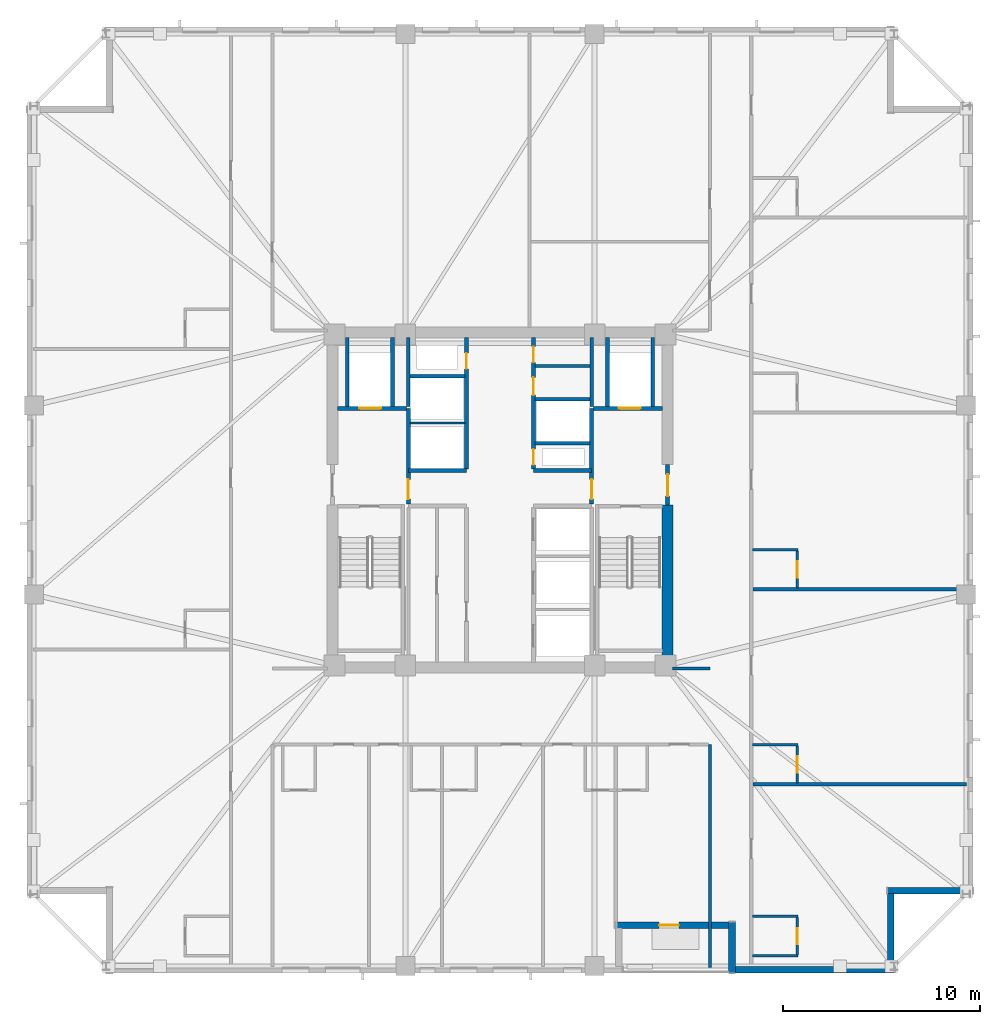
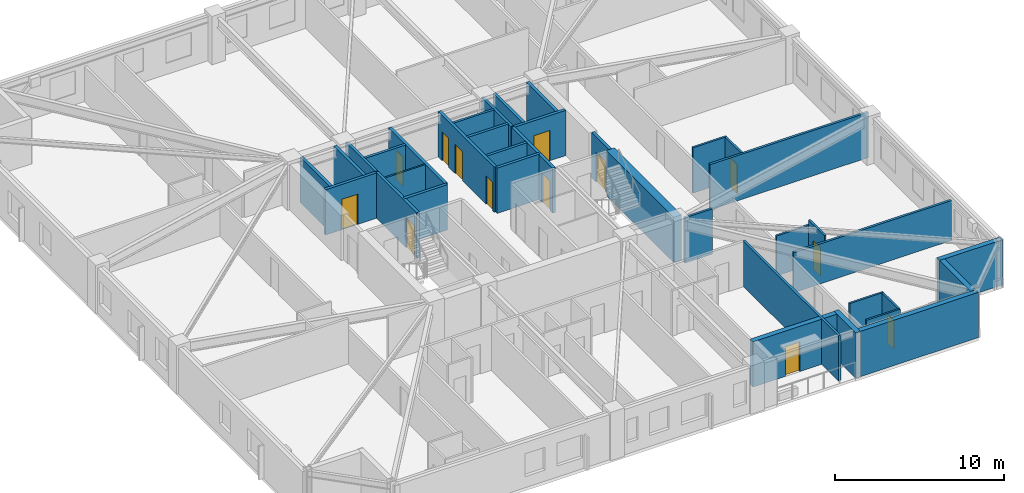
# One storey, part 4 of 11: 37 walls, 13 doors, 13 openings.
"""IFC4 building model written with IfcOpenShell, lengths in metres."""

from ifc_helpers import new_model, si_unit, direction, frame, frame_2d, origin, place, context, subcontext, project, spatial, rectangle, extrude, material, layer, layer_set, type_object, element, fill, save


model = new_model("IFC4")

# Units and contexts
model_context = context("Model", 3, precision=1e-05, world=origin(), true_north=direction((0.0, 1.0)))
body_context = subcontext(model_context, "Body", "Model", "MODEL_VIEW")
ifc_project = project(units=[si_unit("LENGTHUNIT", "METRE"), si_unit("AREAUNIT", "SQUARE_METRE"), si_unit("VOLUMEUNIT", "CUBIC_METRE"), si_unit("PLANEANGLEUNIT", "RADIAN"), si_unit("MASSUNIT", "GRAM", prefix="KILO")], contexts=[model_context])

# Site, building, storey
site_placement = place(None, origin())
site = spatial("IfcSite", under=ifc_project, at=site_placement, CompositionType="ELEMENT")
building_placement = place(site_placement, origin())
building = spatial("IfcBuilding", under=site, at=building_placement, Name="Cairnveth Concourse Tower", CompositionType="ELEMENT")
storey_placement = place(building_placement, frame((0.0, 0.0, 165.5)))
storey = spatial("IfcBuildingStorey", under=building, at=storey_placement, Name="L45", CompositionType="ELEMENT", Elevation=165.5)

# Walls
ifc_material_1 = material(Name="Gypsum Plasterboard Partition", Category="gypsum")
ifc_layer_1 = layer(ifc_material_1, 0.159912109375)
ifc_layer_set_1 = layer_set([ifc_layer_1], Name="Gypsum Plasterboard Partition")
wall_type_1 = type_object("IfcWallType", Name="ACOUSTIC PARTY WALL 180", PredefinedType="PARTITIONING", material=ifc_layer_set_1)
wall_1_placement = place(storey_placement, frame((53.784912109375, 45.800048828125, 0.0), z_axis=(0.0, 0.0, 1.0), x_axis=(1.0, 0.0, 0.0)))
element("IfcWall", 1, at=wall_1_placement, inside=storey, type_object=wall_type_1, Name="Interior Wall IW-L45-036", PredefinedType="PARTITIONING", context=body_context, shape_type="SweptSolid", body=[
    extrude(rectangle(XDim=2.7900390625, YDim=0.159912109375, at=frame_2d((1.39501953125, 0.0))), origin(), (0.0, 0.0, 1.0), 3.280029296875),
])
wall_2_placement = place(storey_placement, frame((62.64990234375, 15.27001953125, 0.0), z_axis=(0.0, 0.0, 1.0), x_axis=(0.0, 1.0, 0.0)))
element("IfcWall", 2, at=wall_2_placement, inside=storey, type_object=wall_type_1, Name="Interior Wall IW-L45-043", PredefinedType="PARTITIONING", context=body_context, shape_type="SweptSolid", body=[
    extrude(rectangle(XDim=11.330078125, YDim=0.159912109375, at=frame_2d((5.6650390625, 0.0))), origin(), (0.0, 0.0, 1.0), 3.280029296875),
])
wall_3_placement = place(storey_placement, frame((60.764892578125, 30.449951171875, 0.0), z_axis=(0.0, 0.0, 1.0), x_axis=(1.0, 0.0, 0.0)))
element("IfcWall", 3, at=wall_3_placement, inside=storey, type_object=wall_type_1, Name="Interior Wall IW-L45-045", PredefinedType="PARTITIONING", context=body_context, shape_type="SweptSolid", body=[
    extrude(rectangle(XDim=1.885009765625, YDim=0.159912109375, at=frame_2d((0.9423828125, 0.0))), origin(), (0.0, 0.0, 1.0), 3.280029296875),
])
wall_4_placement = place(storey_placement, frame((64.830078125, 24.577392578125, 0.0), z_axis=(0.0, 0.0, 1.0), x_axis=(1.0, 0.0, 0.0)))
element("IfcWall", 4, at=wall_4_placement, inside=storey, type_object=wall_type_1, Name="Interior Wall IW-L45-077", PredefinedType="PARTITIONING", context=body_context, shape_type="SweptSolid", body=[
    extrude(rectangle(XDim=10.844970703125, YDim=0.159912109375, at=frame_2d((5.42236328125, 0.0))), origin(), (0.0, 0.0, 1.0), 2.89599609375),
])
wall_5_placement = place(storey_placement, frame((64.830078125, 34.47412109375, 0.0), z_axis=(0.0, 0.0, 1.0), x_axis=(1.0, 0.0, 0.0)))
element("IfcWall", 5, at=wall_5_placement, inside=storey, type_object=wall_type_1, Name="Interior Wall IW-L45-080", PredefinedType="PARTITIONING", context=body_context, shape_type="SweptSolid", body=[
    extrude(rectangle(XDim=10.844970703125, YDim=0.159912109375, at=frame_2d((5.42236328125, 0.0))), origin(), (0.0, 0.0, 1.0), 3.280029296875),
])
ifc_material_2 = material(Name="Concrete N80 (80 MPa)", Category="concrete")
ifc_layer_2 = layer(ifc_material_2, 0.550048828125)
ifc_layer_set_2 = layer_set([ifc_layer_2], Name="Concrete N80 (80 MPa)")
wall_type_2 = type_object("IfcWallType", Name="CORE SHEAR WALL 550", PredefinedType="SHEAR", material=ifc_layer_set_2)
wall_6_placement = place(storey_placement, frame((60.5, 30.764892578125, 0.0), z_axis=(0.0, 0.0, 1.0), x_axis=(0.0, 1.0, 0.0)))
element("IfcWall", 6, at=wall_6_placement, inside=storey, type_object=wall_type_2, Name="Core East Shear Wall S L45", PredefinedType="SHEAR", context=body_context, shape_type="SweptSolid", body=[
    extrude(rectangle(XDim=7.985107421875, YDim=0.550048828125, at=frame_2d((3.99267578125, 0.0))), origin(), (0.0, 0.0, 1.0), 3.280029296875),
])
ifc_material_3 = material(Name="Concrete N50 (50 MPa)", Category="concrete")
ifc_layer_3 = layer(ifc_material_3, 0.179931640625)
ifc_layer_set_3 = layer_set([ifc_layer_3], Name="Concrete N50 (50 MPa)")
wall_type_3 = type_object("IfcWallType", Name="FIRE SHAFT WALL 180", PredefinedType="SOLIDWALL", material=ifc_layer_set_3)
wall_7_placement = place(storey_placement, frame((47.35009765625, 43.735107421875, 0.0), z_axis=(0.0, 0.0, 1.0), x_axis=(0.0, 1.0, 0.0)))
element("IfcWall", 7, at=wall_7_placement, inside=storey, type_object=wall_type_3, Name="Interior Wall IW-L45-030", PredefinedType="SOLIDWALL", context=body_context, shape_type="SweptSolid", body=[
    extrude(rectangle(XDim=3.5048828125, YDim=0.179931640625, at=frame_2d((1.75244140625, 0.0))), origin(), (0.0, 0.0, 1.0), 3.280029296875),
])
wall_8_placement = place(storey_placement, frame((47.425048828125, 45.280029296875, 0.0), z_axis=(0.0, 0.0, 1.0), x_axis=(1.0, 0.0, 0.0)))
element("IfcWall", 8, at=wall_8_placement, inside=storey, type_object=wall_type_3, Name="Interior Wall IW-L45-032", PredefinedType="SOLIDWALL", context=body_context, shape_type="SweptSolid", body=[
    extrude(rectangle(XDim=2.7900390625, YDim=0.179931640625, at=frame_2d((1.39501953125, 0.0))), origin(), (0.0, 0.0, 1.0), 3.280029296875),
])
wall_9_placement = place(storey_placement, frame((56.64990234375, 43.735107421875, 0.0), z_axis=(0.0, 0.0, 1.0), x_axis=(0.0, 1.0, 0.0)))
element("IfcWall", 9, at=wall_9_placement, inside=storey, type_object=wall_type_3, Name="Interior Wall IW-L45-033", PredefinedType="SOLIDWALL", context=body_context, shape_type="SweptSolid", body=[
    extrude(rectangle(XDim=3.5048828125, YDim=0.179931640625, at=frame_2d((1.75244140625, 0.0))), origin(), (0.0, 0.0, 1.0), 3.280029296875),
])
wall_10_placement = place(storey_placement, frame((53.784912109375, 41.8798828125, 0.0), z_axis=(0.0, 0.0, 1.0), x_axis=(1.0, 0.0, 0.0)))
element("IfcWall", 10, at=wall_10_placement, inside=storey, type_object=wall_type_3, Name="Interior Wall IW-L45-034", PredefinedType="SOLIDWALL", context=body_context, shape_type="SweptSolid", body=[
    extrude(rectangle(XDim=2.780029296875, YDim=0.179931640625, at=frame_2d((1.39013671875, 0.0))), origin(), (0.0, 0.0, 1.0), 3.280029296875),
])
wall_11_placement = place(storey_placement, frame((53.784912109375, 44.1201171875, 0.0), z_axis=(0.0, 0.0, 1.0), x_axis=(1.0, 0.0, 0.0)))
element("IfcWall", 11, at=wall_11_placement, inside=storey, type_object=wall_type_3, Name="Interior Wall IW-L45-035", PredefinedType="SOLIDWALL", context=body_context, shape_type="SweptSolid", body=[
    extrude(rectangle(XDim=2.7900390625, YDim=0.179931640625, at=frame_2d((1.39501953125, 0.0))), origin(), (0.0, 0.0, 1.0), 3.280029296875),
])
ifc_layer_4 = layer(ifc_material_3, 0.199951171875)
ifc_layer_set_4 = layer_set([ifc_layer_4], Name="Concrete N50 (50 MPa)")
wall_type_4 = type_object("IfcWallType", Name="FIRE SHAFT WALL 200", PredefinedType="SOLIDWALL", material=ifc_layer_set_4)
for number, where, z_axis, x_axis, name in (
    (12, (47.35009765625, 40.5, 0.0), (0.0, 0.0, 1.0), (1.0, 0.0, 0.0), "Interior Wall IW-L45-008"),
    (13, (53.699951171875, 40.5, 0.0), (0.0, 0.0, 1.0), (1.0, 0.0, 0.0), "Interior Wall IW-L45-010"),
):
    element("IfcWall", number, at=place(storey_placement, frame(where, z_axis=z_axis, x_axis=x_axis)), inside=storey, type_object=wall_type_4, Name=name, PredefinedType="SOLIDWALL", context=body_context, shape_type="SweptSolid", body=[
        extrude(rectangle(XDim=2.949951171875, YDim=0.199951171875, at=frame_2d((1.47509765625, 0.0))), origin(), (0.0, 0.0, 1.0), 3.280029296875),
    ])

# Wall, opening, door
wall_12_placement = place(storey_placement, frame((50.300048828125, 40.5849609375, 0.0), z_axis=(0.0, 0.0, 1.0), x_axis=(0.0, 1.0, 0.0)))
wall_12 = element("IfcWall", 14, at=wall_12_placement, inside=storey, type_object=wall_type_4, Name="Interior Wall IW-L45-013", PredefinedType="SOLIDWALL", context=body_context, shape_type="SweptSolid", body=[
    extrude(rectangle(XDim=6.655029296875, YDim=0.199951171875, at=frame_2d((3.32763671875, 0.0))), origin(), (0.0, 0.0, 1.0), 3.280029296875),
])
opening_1_placement = place(wall_12_placement, frame((5.06494140625, 0.0, 0.0)))
opening_1 = element("IfcOpeningElement", 15, at=opening_1_placement, cuts=wall_12, Name="Opening ID24", PredefinedType="OPENING", context=body_context, shape_type="SweptSolid", body=[
    extrude(rectangle(XDim=0.800048828125, YDim=2.080078125, at=frame_2d((0.39990234375, 1.0400390625))), frame((0.0, 0.10986328125, 0.0), z_axis=(0.0, -1.0, 0.0), x_axis=(1.0, 0.0, 0.0)), (0.0, 0.0, 1.0), 0.219970703125),
])
ifc_material_4 = material(Name="Steel Grade 350", Category="steel")
door_type_1 = type_object("IfcDoorType", Name="RISER ACCESS DOOR 800X2100", OperationType="NOTDEFINED", PredefinedType="DOOR", material=ifc_material_4)
door_1_placement = place(opening_1_placement, origin())
door_1 = element("IfcDoor", 16, at=door_1_placement, inside=storey, type_object=door_type_1, Name="NW Electrical Riser Access Door L45", OperationType="SINGLE_SWING_RIGHT", OverallHeight=2.080078125, OverallWidth=0.800048828125, PredefinedType="DOOR", context=body_context, shape_type="SweptSolid", body=[
    extrude(rectangle(XDim=0.800048828125, YDim=2.080078125, at=frame_2d((0.39990234375, 1.0400390625))), frame((0.0, 0.02490234375, 0.0), z_axis=(0.0, -1.0, 0.0), x_axis=(1.0, 0.0, 0.0)), (0.0, 0.0, 1.0), 0.050048828125),
])
fill(opening_1, door_1)

# Wall, openings, doors
wall_13_placement = place(storey_placement, frame((53.699951171875, 40.5849609375, 0.0), z_axis=(0.0, 0.0, 1.0), x_axis=(0.0, 1.0, 0.0)))
wall_13 = element("IfcWall", 17, at=wall_13_placement, inside=storey, type_object=wall_type_4, Name="Interior Wall IW-L45-014", PredefinedType="SOLIDWALL", context=body_context, shape_type="SweptSolid", body=[
    extrude(rectangle(XDim=6.655029296875, YDim=0.199951171875, at=frame_2d((3.32763671875, 0.0))), origin(), (0.0, 0.0, 1.0), 3.280029296875),
])
opening_2_placement = place(wall_13_placement, frame((0.195068359375, 0.0, 0.0)))
opening_2 = element("IfcOpeningElement", 18, at=opening_2_placement, cuts=wall_13, Name="Opening ID24", PredefinedType="OPENING", context=body_context, shape_type="SweptSolid", body=[
    extrude(rectangle(XDim=0.800048828125, YDim=2.080078125, at=frame_2d((0.39990234375, 1.0400390625))), frame((0.0, 0.10986328125, 0.0), z_axis=(0.0, -1.0, 0.0), x_axis=(1.0, 0.0, 0.0)), (0.0, 0.0, 1.0), 0.219970703125),
])
opening_3_placement = place(wall_13_placement, frame((3.735107421875, 0.0, 0.0)))
opening_3 = element("IfcOpeningElement", 19, at=opening_3_placement, cuts=wall_13, Name="Opening ID26", PredefinedType="OPENING", context=body_context, shape_type="SweptSolid", body=[
    extrude(rectangle(XDim=0.89990234375, YDim=2.1201171875, at=frame_2d((0.449951171875, 1.06005859375))), frame((0.0, 0.10986328125, 0.0), z_axis=(0.0, -1.0, 0.0), x_axis=(1.0, 0.0, 0.0)), (0.0, 0.0, 1.0), 0.219970703125),
])
opening_4_placement = place(wall_13_placement, frame((5.39501953125, 0.0, 0.0)))
opening_4 = element("IfcOpeningElement", 20, at=opening_4_placement, cuts=wall_13, Name="Opening ID23", PredefinedType="OPENING", context=body_context, shape_type="SweptSolid", body=[
    extrude(rectangle(XDim=0.800048828125, YDim=2.10009765625, at=frame_2d((0.39990234375, 1.050048828125))), frame((0.0, 0.10986328125, 0.0), z_axis=(0.0, -1.0, 0.0), x_axis=(1.0, 0.0, 0.0)), (0.0, 0.0, 1.0), 0.219970703125),
])
door_type_2 = type_object("IfcDoorType", Name="CORE SERVICE DOOR 800X2100", OperationType="NOTDEFINED", PredefinedType="DOOR", material=ifc_material_4)
door_2_placement = place(opening_4_placement, origin())
door_2 = element("IfcDoor", 21, at=door_2_placement, inside=storey, type_object=door_type_2, Name="Core NE Cleaners Door L45", OperationType="SINGLE_SWING_LEFT", OverallHeight=2.10009765625, OverallWidth=0.800048828125, PredefinedType="DOOR", context=body_context, shape_type="SweptSolid", body=[
    extrude(rectangle(XDim=0.800048828125, YDim=2.10009765625, at=frame_2d((0.39990234375, 1.050048828125))), frame((0.0, 0.02490234375, 0.0), z_axis=(0.0, -1.0, 0.0), x_axis=(1.0, 0.0, 0.0)), (0.0, 0.0, 1.0), 0.050048828125),
])
fill(opening_4, door_2)
door_type_3 = type_object("IfcDoorType", Name="CORE TOILET FIRE DOOR 900X2120", OperationType="NOTDEFINED", PredefinedType="DOOR", material=ifc_material_4)
door_3_placement = place(opening_3_placement, origin())
door_3 = element("IfcDoor", 22, at=door_3_placement, inside=storey, type_object=door_type_3, Name="Core NE Unisex WC Door L45", OperationType="SINGLE_SWING_RIGHT", OverallHeight=2.1201171875, OverallWidth=0.89990234375, PredefinedType="DOOR", context=body_context, shape_type="SweptSolid", body=[
    extrude(rectangle(XDim=0.89990234375, YDim=2.1201171875, at=frame_2d((0.449951171875, 1.06005859375))), frame((0.0, 0.02490234375, 0.0), z_axis=(0.0, -1.0, 0.0), x_axis=(1.0, 0.0, 0.0)), (0.0, 0.0, 1.0), 0.050048828125),
])
fill(opening_3, door_3)
door_4_placement = place(opening_2_placement, origin())
door_4 = element("IfcDoor", 23, at=door_4_placement, inside=storey, type_object=door_type_1, Name="Hydraulic Riser Door L45", OperationType="SINGLE_SWING_LEFT", OverallHeight=2.080078125, OverallWidth=0.800048828125, PredefinedType="DOOR", context=body_context, shape_type="SweptSolid", body=[
    extrude(rectangle(XDim=0.800048828125, YDim=2.080078125, at=frame_2d((0.39990234375, 1.0400390625))), frame((0.0, 0.02490234375, 0.0), z_axis=(0.0, -1.0, 0.0), x_axis=(1.0, 0.0, 0.0)), (0.0, 0.0, 1.0), 0.050048828125),
])
fill(opening_2, door_4)

# Wall, opening, door
wall_14_placement = place(storey_placement, frame((47.35009765625, 38.784912109375, 0.0), z_axis=(0.0, 0.0, 1.0), x_axis=(0.0, 1.0, 0.0)))
wall_14 = element("IfcWall", 24, at=wall_14_placement, inside=storey, type_object=wall_type_4, Name="Interior Wall IW-L45-016", PredefinedType="SOLIDWALL", context=body_context, shape_type="SweptSolid", body=[
    extrude(rectangle(XDim=4.864990234375, YDim=0.199951171875, at=frame_2d((2.4326171875, 0.0))), origin(), (0.0, 0.0, 1.0), 3.280029296875),
])
opening_5_placement = place(wall_14_placement, frame((0.264892578125, 0.0, 0.0)))
opening_5 = element("IfcOpeningElement", 25, at=opening_5_placement, cuts=wall_14, Name="Opening ID07", PredefinedType="OPENING", context=body_context, shape_type="SweptSolid", body=[
    extrude(rectangle(XDim=1.0, YDim=2.14990234375, at=frame_2d((0.5, 1.074951171875))), frame((0.0, 0.10986328125, 0.0), z_axis=(0.0, -1.0, 0.0), x_axis=(1.0, 0.0, 0.0)), (0.0, 0.0, 1.0), 0.219970703125),
])
door_type_4 = type_object("IfcDoorType", Name="FIRE CORRIDOR DOOR 1000X2150", OperationType="NOTDEFINED", PredefinedType="DOOR", material=ifc_material_4)
door_5_placement = place(opening_5_placement, origin())
door_5 = element("IfcDoor", 26, at=door_5_placement, inside=storey, type_object=door_type_4, Name="FF Lobby West to Lift Lobby Door L45", OperationType="SINGLE_SWING_RIGHT", OverallHeight=2.14990234375, OverallWidth=1.0, PredefinedType="DOOR", context=body_context, shape_type="SweptSolid", body=[
    extrude(rectangle(XDim=1.0, YDim=2.14990234375, at=frame_2d((0.5, 1.074951171875))), frame((0.0, 0.02490234375, 0.0), z_axis=(0.0, -1.0, 0.0), x_axis=(1.0, 0.0, 0.0)), (0.0, 0.0, 1.0), 0.050048828125),
])
fill(opening_5, door_5)

wall_15_placement = place(storey_placement, frame((43.760009765625, 43.64990234375, 0.0), z_axis=(0.0, 0.0, 1.0), x_axis=(1.0, 0.0, 0.0)))
wall_15 = element("IfcWall", 27, at=wall_15_placement, inside=storey, type_object=wall_type_4, Name="Interior Wall IW-L45-017", PredefinedType="SOLIDWALL", context=body_context, shape_type="SweptSolid", body=[
    extrude(rectangle(XDim=3.5048828125, YDim=0.199951171875, at=frame_2d((1.75244140625, 0.0))), origin(), (0.0, 0.0, 1.0), 3.280029296875),
])
opening_6_placement = place(wall_15_placement, frame((1.110107421875, 0.0, 0.0)))
opening_6 = element("IfcOpeningElement", 28, at=opening_6_placement, cuts=wall_15, Name="Opening LD-1", PredefinedType="OPENING", context=body_context, shape_type="SweptSolid", body=[
    extrude(rectangle(XDim=1.10009765625, YDim=2.199951171875, at=frame_2d((0.550048828125, 1.10009765625))), frame((0.0, 0.10986328125, 0.0), z_axis=(0.0, -1.0, 0.0), x_axis=(1.0, 0.0, 0.0)), (0.0, 0.0, 1.0), 0.219970703125),
])
ifc_material_5 = material(Name="Architectural Bronze Anodised Aluminium 6063-T6", Category="aluminium")
door_type_5 = type_object("IfcDoorType", Name="LIFT LANDING DOOR 1100X2200", OperationType="SLIDING_TO_LEFT", PredefinedType="DOOR", material=ifc_material_5)
door_6_placement = place(opening_6_placement, origin())
door_6 = element("IfcDoor", 29, at=door_6_placement, inside=storey, type_object=door_type_5, Name="Lift FFL1 Landing Door L45", OperationType="SLIDING_TO_LEFT", OverallHeight=2.199951171875, OverallWidth=1.10009765625, PredefinedType="DOOR", context=body_context, shape_type="SweptSolid", body=[
    extrude(rectangle(XDim=1.10009765625, YDim=2.199951171875, at=frame_2d((0.550048828125, 1.10009765625))), frame((0.0, 0.02490234375, 0.0), z_axis=(0.0, -1.0, 0.0), x_axis=(1.0, 0.0, 0.0)), (0.0, 0.0, 1.0), 0.050048828125),
])
fill(opening_6, door_6)

# Walls
for number, where, z_axis, x_axis, name in (
    (30, (46.550048828125, 43.735107421875, 0.0), (0.0, 0.0, 1.0), (0.0, 1.0, 0.0), "Interior Wall IW-L45-018"),
    (31, (44.25, 43.735107421875, 0.0), (0.0, 0.0, 1.0), (0.0, 1.0, 0.0), "Interior Wall IW-L45-019"),
):
    element("IfcWall", number, at=place(storey_placement, frame(where, z_axis=z_axis, x_axis=x_axis)), inside=storey, type_object=wall_type_4, Name=name, PredefinedType="SOLIDWALL", context=body_context, shape_type="SweptSolid", body=[
        extrude(rectangle(XDim=3.5048828125, YDim=0.199951171875, at=frame_2d((1.75244140625, 0.0))), origin(), (0.0, 0.0, 1.0), 3.280029296875),
    ])

# Wall, opening, door
wall_16_placement = place(storey_placement, frame((60.5, 38.75, 0.0), z_axis=(0.0, 0.0, 1.0), x_axis=(0.0, 1.0, 0.0)))
wall_16 = element("IfcWall", 32, at=wall_16_placement, inside=storey, type_object=wall_type_4, Name="Interior Wall IW-L45-020", PredefinedType="SOLIDWALL", context=body_context, shape_type="SweptSolid", body=[
    extrude(rectangle(XDim=2.050048828125, YDim=0.199951171875, at=frame_2d((1.02490234375, 0.0))), origin(), (0.0, 0.0, 1.0), 3.280029296875),
])
opening_7_placement = place(wall_16_placement, frame((0.449951171875, 0.0, 0.0)))
opening_7 = element("IfcOpeningElement", 33, at=opening_7_placement, cuts=wall_16, Name="Opening ID06", PredefinedType="OPENING", context=body_context, shape_type="SweptSolid", body=[
    extrude(rectangle(XDim=1.10009765625, YDim=2.14990234375, at=frame_2d((0.550048828125, 1.074951171875))), frame((0.0, 0.10986328125, 0.0), z_axis=(0.0, -1.0, 0.0), x_axis=(1.0, 0.0, 0.0)), (0.0, 0.0, 1.0), 0.219970703125),
])
door_type_6 = type_object("IfcDoorType", Name="FIRE CORRIDOR DOOR 1100X2150", OperationType="NOTDEFINED", PredefinedType="DOOR", material=ifc_material_4)
door_7_placement = place(opening_7_placement, origin())
door_7 = element("IfcDoor", 34, at=door_7_placement, inside=storey, type_object=door_type_6, Name="East Wing to FF Lobby Door L45", OperationType="SINGLE_SWING_RIGHT", OverallHeight=2.14990234375, OverallWidth=1.10009765625, PredefinedType="DOOR", context=body_context, shape_type="SweptSolid", body=[
    extrude(rectangle(XDim=1.10009765625, YDim=2.14990234375, at=frame_2d((0.550048828125, 1.074951171875))), frame((0.0, 0.02490234375, 0.0), z_axis=(0.0, -1.0, 0.0), x_axis=(1.0, 0.0, 0.0)), (0.0, 0.0, 1.0), 0.050048828125),
])
fill(opening_7, door_7)

wall_17_placement = place(storey_placement, frame((56.64990234375, 38.784912109375, 0.0), z_axis=(0.0, 0.0, 1.0), x_axis=(0.0, 1.0, 0.0)))
wall_17 = element("IfcWall", 35, at=wall_17_placement, inside=storey, type_object=wall_type_4, Name="Interior Wall IW-L45-021", PredefinedType="SOLIDWALL", context=body_context, shape_type="SweptSolid", body=[
    extrude(rectangle(XDim=4.864990234375, YDim=0.199951171875, at=frame_2d((2.4326171875, 0.0))), origin(), (0.0, 0.0, 1.0), 3.280029296875),
])
opening_8_placement = place(wall_17_placement, frame((0.264892578125, 0.0, 0.0)))
opening_8 = element("IfcOpeningElement", 36, at=opening_8_placement, cuts=wall_17, Name="Opening ID07", PredefinedType="OPENING", context=body_context, shape_type="SweptSolid", body=[
    extrude(rectangle(XDim=1.0, YDim=2.14990234375, at=frame_2d((0.5, 1.074951171875))), frame((0.0, 0.10986328125, 0.0), z_axis=(0.0, -1.0, 0.0), x_axis=(1.0, 0.0, 0.0)), (0.0, 0.0, 1.0), 0.219970703125),
])
door_8_placement = place(opening_8_placement, origin())
door_8 = element("IfcDoor", 37, at=door_8_placement, inside=storey, type_object=door_type_4, Name="FF Lobby East to Lift Lobby Door L45", OperationType="SINGLE_SWING_LEFT", OverallHeight=2.14990234375, OverallWidth=1.0, PredefinedType="DOOR", context=body_context, shape_type="SweptSolid", body=[
    extrude(rectangle(XDim=1.0, YDim=2.14990234375, at=frame_2d((0.5, 1.074951171875))), frame((0.0, 0.02490234375, 0.0), z_axis=(0.0, -1.0, 0.0), x_axis=(1.0, 0.0, 0.0)), (0.0, 0.0, 1.0), 0.050048828125),
])
fill(opening_8, door_8)

wall_18_placement = place(storey_placement, frame((56.735107421875, 43.64990234375, 0.0), z_axis=(0.0, 0.0, 1.0), x_axis=(1.0, 0.0, 0.0)))
wall_18 = element("IfcWall", 38, at=wall_18_placement, inside=storey, type_object=wall_type_4, Name="Interior Wall IW-L45-022", PredefinedType="SOLIDWALL", context=body_context, shape_type="SweptSolid", body=[
    extrude(rectangle(XDim=3.5048828125, YDim=0.199951171875, at=frame_2d((1.75244140625, 0.0))), origin(), (0.0, 0.0, 1.0), 3.280029296875),
])
opening_9_placement = place(wall_18_placement, frame((1.294921875, 0.0, 0.0)))
opening_9 = element("IfcOpeningElement", 39, at=opening_9_placement, cuts=wall_18, Name="Opening LD-1", PredefinedType="OPENING", context=body_context, shape_type="SweptSolid", body=[
    extrude(rectangle(XDim=1.10009765625, YDim=2.199951171875, at=frame_2d((0.550048828125, 1.10009765625))), frame((0.0, 0.10986328125, 0.0), z_axis=(0.0, -1.0, 0.0), x_axis=(1.0, 0.0, 0.0)), (0.0, 0.0, 1.0), 0.219970703125),
])
door_9_placement = place(opening_9_placement, origin())
door_9 = element("IfcDoor", 40, at=door_9_placement, inside=storey, type_object=door_type_5, Name="Lift FFL2 Landing Door L45", OperationType="SLIDING_TO_LEFT", OverallHeight=2.199951171875, OverallWidth=1.10009765625, PredefinedType="DOOR", context=body_context, shape_type="SweptSolid", body=[
    extrude(rectangle(XDim=1.10009765625, YDim=2.199951171875, at=frame_2d((0.550048828125, 1.10009765625))), frame((0.0, 0.02490234375, 0.0), z_axis=(0.0, -1.0, 0.0), x_axis=(1.0, 0.0, 0.0)), (0.0, 0.0, 1.0), 0.050048828125),
])
fill(opening_9, door_9)

# Walls
for number, where, z_axis, x_axis, name in (
    (41, (57.449951171875, 43.735107421875, 0.0), (0.0, 0.0, 1.0), (0.0, 1.0, 0.0), "Interior Wall IW-L45-023"),
    (42, (59.75, 43.735107421875, 0.0), (0.0, 0.0, 1.0), (0.0, 1.0, 0.0), "Interior Wall IW-L45-024"),
):
    element("IfcWall", number, at=place(storey_placement, frame(where, z_axis=z_axis, x_axis=x_axis)), inside=storey, type_object=wall_type_4, Name=name, PredefinedType="SOLIDWALL", context=body_context, shape_type="SweptSolid", body=[
        extrude(rectangle(XDim=3.5048828125, YDim=0.199951171875, at=frame_2d((1.75244140625, 0.0))), origin(), (0.0, 0.0, 1.0), 3.280029296875),
    ])
ifc_layer_5 = layer(ifc_material_1, 0.110107421875)
ifc_layer_set_5 = layer_set([ifc_layer_5], Name="Gypsum Plasterboard Partition")
wall_type_5 = type_object("IfcWallType", Name="SHAFT DIVIDER WALL 140", PredefinedType="PARTITIONING", material=ifc_layer_set_5)
wall_19_placement = place(storey_placement, frame((47.43505859375, 42.89990234375, 0.0), z_axis=(0.0, 0.0, 1.0), x_axis=(1.0, 0.0, 0.0)))
element("IfcWall", 43, at=wall_19_placement, inside=storey, type_object=wall_type_5, Name="Interior Wall IW-L45-031", PredefinedType="PARTITIONING", context=body_context, shape_type="SweptSolid", body=[
    extrude(rectangle(XDim=2.780029296875, YDim=0.110107421875, at=frame_2d((1.39013671875, 0.0))), origin(), (0.0, 0.0, 1.0), 3.280029296875),
])
ifc_layer_6 = layer(ifc_material_1, 0.1298828125)
ifc_layer_set_6 = layer_set([ifc_layer_6], Name="Gypsum Plasterboard Partition")
wall_type_6 = type_object("IfcWallType", Name="WET AREA PARTITION 140", PredefinedType="PLUMBINGWALL", material=ifc_layer_set_6)
for number, where, z_axis, x_axis, name in (
    (44, (64.81494140625, 15.8701171875, 0.0), (0.0, 0.0, 1.0), (1.0, 0.0, 0.0), "Interior Wall IW-L45-074"),
    (45, (64.81494140625, 17.8701171875, 0.0), (0.0, 0.0, 1.0), (1.0, 0.0, 0.0), "Interior Wall IW-L45-075"),
):
    element("IfcWall", number, at=place(storey_placement, frame(where, z_axis=z_axis, x_axis=x_axis)), inside=storey, type_object=wall_type_6, Name=name, PredefinedType="PLUMBINGWALL", context=body_context, shape_type="SweptSolid", body=[
        extrude(rectangle(XDim=2.31494140625, YDim=0.1298828125, at=frame_2d((1.157470703125, 0.0))), origin(), (0.0, 0.0, 1.0), 3.280029296875),
    ])

# Wall, opening, door
wall_20_placement = place(storey_placement, frame((67.080078125, 15.919921875, 0.0), z_axis=(0.0, 0.0, 1.0), x_axis=(0.0, 1.0, 0.0)))
wall_20 = element("IfcWall", 46, at=wall_20_placement, inside=storey, type_object=wall_type_6, Name="Interior Wall IW-L45-076", PredefinedType="PLUMBINGWALL", context=body_context, shape_type="SweptSolid", body=[
    extrude(rectangle(XDim=1.900146484375, YDim=0.1298828125, at=frame_2d((0.9501953125, 0.0))), origin(), (0.0, 0.0, 1.0), 3.280029296875),
])
opening_10_placement = place(wall_20_placement, frame((0.5400390625, 0.0, 0.0)))
opening_10 = element("IfcOpeningElement", 47, at=opening_10_placement, cuts=wall_20, Name="Opening ID22", PredefinedType="OPENING", context=body_context, shape_type="SweptSolid", body=[
    extrude(rectangle(XDim=0.820068359375, YDim=2.10009765625, at=frame_2d((0.41015625, 1.050048828125))), frame((0.0, 0.074951171875, 0.0), z_axis=(0.0, -1.0, 0.0), x_axis=(1.0, 0.0, 0.0)), (0.0, 0.0, 1.0), 0.14990234375),
])
ifc_material_6 = material(Name="Solid Core Hardwood Timber Leaf", Category="wood")
door_type_7 = type_object("IfcDoorType", Name="INTERIOR WC DOOR 820X2100", OperationType="NOTDEFINED", PredefinedType="DOOR", material=ifc_material_6)
door_10_placement = place(opening_10_placement, origin())
door_10 = element("IfcDoor", 48, at=door_10_placement, inside=storey, type_object=door_type_7, Name="En-Suite Door L45-E1", OperationType="SINGLE_SWING_LEFT", OverallHeight=2.10009765625, OverallWidth=0.820068359375, PredefinedType="DOOR", context=body_context, shape_type="SweptSolid", body=[
    extrude(rectangle(XDim=0.820068359375, YDim=2.10009765625, at=frame_2d((0.41015625, 1.050048828125))), frame((0.0, 0.02490234375, 0.0), z_axis=(0.0, -1.0, 0.0), x_axis=(1.0, 0.0, 0.0)), (0.0, 0.0, 1.0), 0.050048828125),
])
fill(opening_10, door_10)

# Wall
wall_21_placement = place(storey_placement, frame((64.81494140625, 26.577392578125, 0.0), z_axis=(0.0, 0.0, 1.0), x_axis=(1.0, 0.0, 0.0)))
element("IfcWall", 49, at=wall_21_placement, inside=storey, type_object=wall_type_6, Name="Interior Wall IW-L45-078", PredefinedType="PLUMBINGWALL", context=body_context, shape_type="SweptSolid", body=[
    extrude(rectangle(XDim=2.31494140625, YDim=0.1298828125, at=frame_2d((1.157470703125, 0.0))), origin(), (0.0, 0.0, 1.0), 2.89599609375),
])

# Wall, opening, door
wall_22_placement = place(storey_placement, frame((67.080078125, 24.642333984375, 0.0), z_axis=(0.0, 0.0, 1.0), x_axis=(0.0, 1.0, 0.0)))
wall_22 = element("IfcWall", 50, at=wall_22_placement, inside=storey, type_object=wall_type_6, Name="Interior Wall IW-L45-079", PredefinedType="PLUMBINGWALL", context=body_context, shape_type="SweptSolid", body=[
    extrude(rectangle(XDim=1.885009765625, YDim=0.1298828125, at=frame_2d((0.9423828125, 0.0))), origin(), (0.0, 0.0, 1.0), 3.280029296875),
])
opening_11_placement = place(wall_22_placement, frame((0.52490234375, 0.0, 0.0)))
opening_11 = element("IfcOpeningElement", 51, at=opening_11_placement, cuts=wall_22, Name="Opening ID22", PredefinedType="OPENING", context=body_context, shape_type="SweptSolid", body=[
    extrude(rectangle(XDim=0.820068359375, YDim=2.10009765625, at=frame_2d((0.41015625, 1.050048828125))), frame((0.0, 0.074951171875, 0.0), z_axis=(0.0, -1.0, 0.0), x_axis=(1.0, 0.0, 0.0)), (0.0, 0.0, 1.0), 0.14990234375),
])
door_11_placement = place(opening_11_placement, origin())
door_11 = element("IfcDoor", 52, at=door_11_placement, inside=storey, type_object=door_type_7, Name="En-Suite Door L45-E2", OperationType="SINGLE_SWING_LEFT", OverallHeight=2.10009765625, OverallWidth=0.820068359375, PredefinedType="DOOR", context=body_context, shape_type="SweptSolid", body=[
    extrude(rectangle(XDim=0.820068359375, YDim=2.10009765625, at=frame_2d((0.41015625, 1.050048828125))), frame((0.0, 0.02490234375, 0.0), z_axis=(0.0, -1.0, 0.0), x_axis=(1.0, 0.0, 0.0)), (0.0, 0.0, 1.0), 0.050048828125),
])
fill(opening_11, door_11)

# Wall
wall_23_placement = place(storey_placement, frame((64.81494140625, 36.47412109375, 0.0), z_axis=(0.0, 0.0, 1.0), x_axis=(1.0, 0.0, 0.0)))
element("IfcWall", 53, at=wall_23_placement, inside=storey, type_object=wall_type_6, Name="Interior Wall IW-L45-081", PredefinedType="PLUMBINGWALL", context=body_context, shape_type="SweptSolid", body=[
    extrude(rectangle(XDim=2.31494140625, YDim=0.1298828125, at=frame_2d((1.157470703125, 0.0))), origin(), (0.0, 0.0, 1.0), 3.280029296875),
])

# Wall, opening, door
wall_24_placement = place(storey_placement, frame((67.080078125, 34.5390625, 0.0), z_axis=(0.0, 0.0, 1.0), x_axis=(0.0, 1.0, 0.0)))
wall_24 = element("IfcWall", 54, at=wall_24_placement, inside=storey, type_object=wall_type_6, Name="Interior Wall IW-L45-082", PredefinedType="PLUMBINGWALL", context=body_context, shape_type="SweptSolid", body=[
    extrude(rectangle(XDim=1.885009765625, YDim=0.1298828125, at=frame_2d((0.9423828125, 0.0))), origin(), (0.0, 0.0, 1.0), 3.280029296875),
])
opening_12_placement = place(wall_24_placement, frame((0.52490234375, 0.0, 0.0)))
opening_12 = element("IfcOpeningElement", 55, at=opening_12_placement, cuts=wall_24, Name="Opening ID22", PredefinedType="OPENING", context=body_context, shape_type="SweptSolid", body=[
    extrude(rectangle(XDim=0.820068359375, YDim=2.10009765625, at=frame_2d((0.41015625, 1.050048828125))), frame((0.0, 0.074951171875, 0.0), z_axis=(0.0, -1.0, 0.0), x_axis=(1.0, 0.0, 0.0)), (0.0, 0.0, 1.0), 0.14990234375),
])
door_12_placement = place(opening_12_placement, origin())
door_12 = element("IfcDoor", 56, at=door_12_placement, inside=storey, type_object=door_type_7, Name="En-Suite Door L45-E3", OperationType="SINGLE_SWING_LEFT", OverallHeight=2.10009765625, OverallWidth=0.820068359375, PredefinedType="DOOR", context=body_context, shape_type="SweptSolid", body=[
    extrude(rectangle(XDim=0.820068359375, YDim=2.10009765625, at=frame_2d((0.41015625, 1.050048828125))), frame((0.0, 0.02490234375, 0.0), z_axis=(0.0, -1.0, 0.0), x_axis=(1.0, 0.0, 0.0)), (0.0, 0.0, 1.0), 0.050048828125),
])
fill(opening_12, door_12)

# Walls
ifc_material_7 = material(Name="Hawthorn Red-Ochre Fired Clay Brick Masonry", Category="masonry")
ifc_layer_7 = layer(ifc_material_7, 0.340087890625)
ifc_layer_set_7 = layer_set([ifc_layer_7], Name="Hawthorn Red-Ochre Fired Clay Brick Masonry")
wall_type_7 = type_object("IfcWallType", Name="ZONE 2 BRICK PIER SPANDREL WALL 340", PredefinedType="SOLIDWALL", material=ifc_layer_set_7)
wall_25_placement = place(storey_placement, frame((76.0, 19.169921875, 0.0), z_axis=(0.0, 0.0, 1.0), x_axis=(-1.0, 0.0, 0.0)))
element("IfcWall", 57, at=wall_25_placement, inside=storey, type_object=wall_type_7, Name="Exterior Wall EW-L45-S10", PredefinedType="SOLIDWALL", context=body_context, shape_type="SweptSolid", body=[
    extrude(rectangle(XDim=4.340087890625, YDim=0.340087890625, at=frame_2d((2.169921875, 0.0))), origin(), (0.0, 0.0, 1.0), 3.280029296875),
])
wall_26_placement = place(storey_placement, frame((71.830078125, 19.02197265625, 0.0), z_axis=(0.0, 0.0, 1.0), x_axis=(0.0, -1.0, 0.0)))
element("IfcWall", 58, at=wall_26_placement, inside=storey, type_object=wall_type_7, Name="Exterior Wall EW-L45-S11", PredefinedType="SOLIDWALL", context=body_context, shape_type="SweptSolid", body=[
    extrude(rectangle(XDim=3.703857421875, YDim=0.340087890625, at=frame_2d((1.85205078125, 0.0))), origin(), (0.0, 0.0, 1.0), 3.280029296875),
])
wall_27_placement = place(storey_placement, frame((72.0, 15.169921875, 0.0), z_axis=(0.0, 0.0, 1.0), x_axis=(-1.0, 0.0, 0.0)))
element("IfcWall", 59, at=wall_27_placement, inside=storey, type_object=wall_type_7, Name="Exterior Wall EW-L45-S12", PredefinedType="SOLIDWALL", context=body_context, shape_type="SweptSolid", body=[
    extrude(rectangle(XDim=8.08203125, YDim=0.340087890625, at=frame_2d((4.041015625, 0.0))), origin(), (0.0, 0.0, 1.0), 3.280029296875),
])
wall_28_placement = place(storey_placement, frame((63.77001953125, 15.0, 0.0), z_axis=(0.0, 0.0, 1.0), x_axis=(0.0, 1.0, 0.0)))
element("IfcWall", 60, at=wall_28_placement, inside=storey, type_object=wall_type_7, Name="Exterior Wall EW-L45-S13", PredefinedType="SOLIDWALL", context=body_context, shape_type="SweptSolid", body=[
    extrude(rectangle(XDim=2.590087890625, YDim=0.340087890625, at=frame_2d((1.294921875, 0.0))), origin(), (0.0, 0.0, 1.0), 3.280029296875),
])

# Wall, opening, door
wall_29_placement = place(storey_placement, frame((63.6220703125, 17.419921875, 0.0), z_axis=(0.0, 0.0, 1.0), x_axis=(-1.0, 0.0, 0.0)))
wall_29 = element("IfcWall", 61, at=wall_29_placement, inside=storey, type_object=wall_type_7, Name="Exterior Wall EW-L45-S14", PredefinedType="SOLIDWALL", context=body_context, shape_type="SweptSolid", body=[
    extrude(rectangle(XDim=5.761962890625, YDim=0.340087890625, at=frame_2d((2.880859375, 0.0))), origin(), (0.0, 0.0, 1.0), 3.280029296875),
])
opening_13_placement = place(wall_29_placement, frame((2.5419921875, 0.0, 0.0)))
opening_13 = element("IfcOpeningElement", 62, at=opening_13_placement, cuts=wall_29, Name="Opening ED4", PredefinedType="OPENING", context=body_context, shape_type="SweptSolid", body=[
    extrude(rectangle(XDim=1.0, YDim=2.14990234375, at=frame_2d((0.5, 1.074951171875))), frame((0.0, 0.179931640625, 0.0), z_axis=(0.0, -1.0, 0.0), x_axis=(1.0, 0.0, 0.0)), (0.0, 0.0, 1.0), 0.360107421875),
])
door_type_8 = type_object("IfcDoorType", Name="TERRACE GLAZED DOOR 1000X2150", OperationType="NOTDEFINED", PredefinedType="DOOR", material=ifc_material_5)
door_13_placement = place(opening_13_placement, origin())
door_13 = element("IfcDoor", 63, at=door_13_placement, inside=storey, type_object=door_type_8, Name="Spiral Terrace Door L45", OperationType="SINGLE_SWING_RIGHT", OverallHeight=2.14990234375, OverallWidth=1.0, PredefinedType="DOOR", context=body_context, shape_type="SweptSolid", body=[
    extrude(rectangle(XDim=1.0, YDim=2.14990234375, at=frame_2d((0.5, 1.074951171875))), frame((0.0, 0.02490234375, 0.0), z_axis=(0.0, -1.0, 0.0), x_axis=(1.0, 0.0, 0.0)), (0.0, 0.0, 1.0), 0.050048828125),
])
fill(opening_13, door_13)

save(model, "model.ifc")
